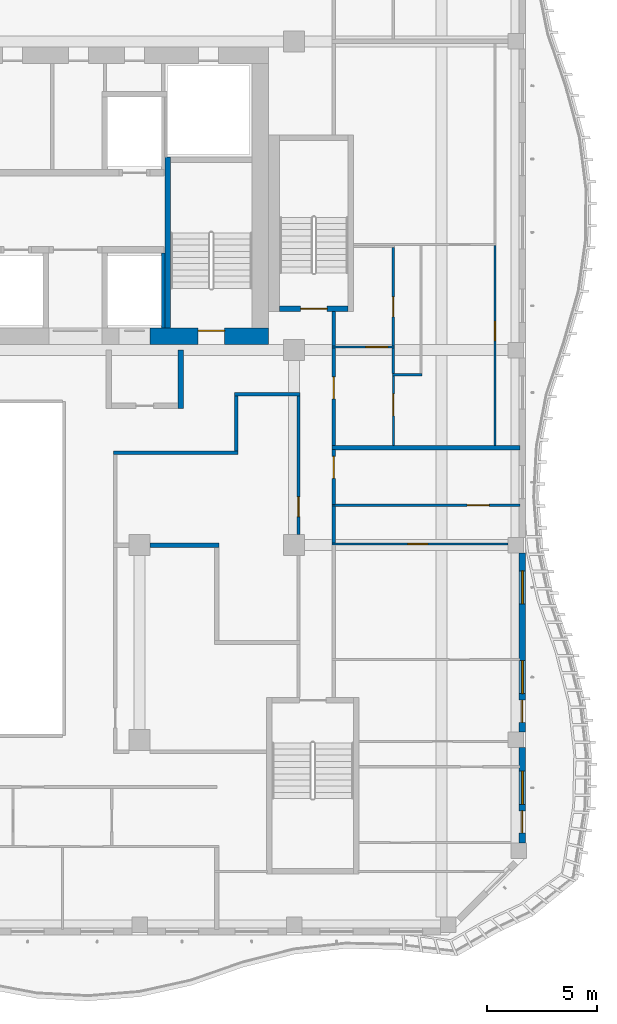
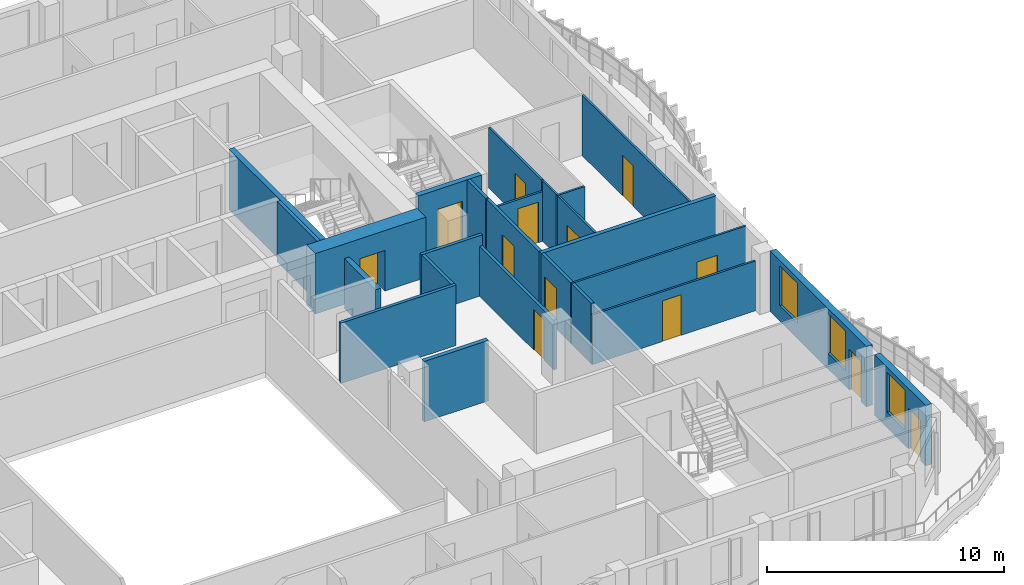
# One storey, part 6 of 19: 25 walls, 13 doors, 3 windows, 16 openings.
"""IFC4 building model written with IfcOpenShell, lengths in metres."""

from ifc_helpers import new_model, si_unit, direction, frame, frame_2d, origin, place, context, subcontext, project, spatial, rectangle, extrude, source, transform, mapped, material, layer, layer_set, type_object, element, fill, save


model = new_model("IFC4")

# Units and contexts
model_context = context("Model", 3, precision=1e-05, world=origin(), true_north=direction((0.0, 1.0)))
body_context = subcontext(model_context, "Body", "Model", "MODEL_VIEW")
ifc_project = project(units=[si_unit("LENGTHUNIT", "METRE"), si_unit("AREAUNIT", "SQUARE_METRE"), si_unit("VOLUMEUNIT", "CUBIC_METRE"), si_unit("PLANEANGLEUNIT", "RADIAN"), si_unit("MASSUNIT", "GRAM", prefix="KILO")], contexts=[model_context])

# Site, building, storey
site_placement = place(None, origin())
site = spatial("IfcSite", under=ifc_project, at=site_placement, CompositionType="ELEMENT")
building_placement = place(site_placement, origin())
building = spatial("IfcBuilding", under=site, at=building_placement, Name="Kilnfold Tower and Market Hall", CompositionType="ELEMENT")
storey_placement = place(building_placement, frame((0.0, 0.0, 252.60009765625)))
storey = spatial("IfcBuildingStorey", under=building, at=storey_placement, Name="L61", CompositionType="ELEMENT", Elevation=252.60009765625)

# Wall
ifc_material_1 = material(Name="Gypsum board on steel studs", Category="steel")
ifc_layer_1 = layer(ifc_material_1, 0.14990234375)
ifc_layer_set_1 = layer_set([ifc_layer_1], Name="Gypsum board on steel studs")
wall_type_1 = type_object("IfcWallType", Name="WALL CORRIDOR 150", PredefinedType="PARTITIONING", material=ifc_layer_set_1)
wall_1_placement = place(storey_placement, frame((20.800048828125, -0.743896484375, 0.0), z_axis=(0.0, 0.0, 1.0), x_axis=(0.0, 1.0, 0.0)))
element("IfcWall", 1, at=wall_1_placement, inside=storey, type_object=wall_type_1, Name="Partition LY37.14", PredefinedType="PARTITIONING", context=body_context, shape_type="SweptSolid", body=[
    extrude(rectangle(XDim=1.6708984375, YDim=0.14990234375, at=frame_2d((0.83544921875, 0.0))), origin(), (0.0, 0.0, 1.0), 3.119873046875),
])

# Wall, opening, door
wall_2_placement = place(storey_placement, frame((20.800048828125, 1.007080078125, 0.0), z_axis=(0.0, 0.0, 1.0), x_axis=(0.0, 1.0, 0.0)))
wall_2 = element("IfcWall", 2, at=wall_2_placement, inside=storey, type_object=wall_type_1, Name="Partition LY37.15", PredefinedType="PARTITIONING", context=body_context, shape_type="SweptSolid", body=[
    extrude(rectangle(XDim=2.48583984375, YDim=0.14990234375, at=frame_2d((1.242919921875, 0.0))), origin(), (0.0, 0.0, 1.0), 3.119873046875),
])
opening_1_placement = place(wall_2_placement, frame((1.177001953125, 0.0, 0.0)))
opening_1 = element("IfcOpeningElement", 3, at=opening_1_placement, cuts=wall_2, Name="Opening D1", PredefinedType="OPENING", context=body_context, shape_type="SweptSolid", body=[
    extrude(rectangle(XDim=1.0, YDim=2.10009765625, at=frame_2d((0.5, 1.050048828125))), frame((0.0, 0.0849609375, 0.0), z_axis=(0.0, -1.0, 0.0), x_axis=(1.0, 0.0, 0.0)), (0.0, 0.0, 1.0), 0.169921875),
])
ifc_material_2 = material(Name="Timber veneer door leaf in steel frame", Category="steel")
door_type_1 = type_object("IfcDoorType", Name="DOOR ENTRY 1000 X2100", OperationType="NOTDEFINED", PredefinedType="DOOR", material=ifc_material_2)
door_1_placement = place(opening_1_placement, origin())
door_1 = element("IfcDoor", 4, at=door_1_placement, inside=storey, type_object=door_type_1, Name="Door D1", OperationType="SINGLE_SWING_RIGHT", OverallHeight=2.10009765625, OverallWidth=1.0, PredefinedType="DOOR", context=body_context, shape_type="SweptSolid", body=[
    extrude(rectangle(XDim=1.0, YDim=2.10009765625, at=frame_2d((0.5, 1.050048828125))), frame((0.0, 0.02490234375, 0.0), z_axis=(0.0, -1.0, 0.0), x_axis=(1.0, 0.0, 0.0)), (0.0, 0.0, 1.0), 0.050048828125),
])
fill(opening_1, door_1)

wall_3_placement = place(storey_placement, frame((20.800048828125, 3.673095703125, 0.0), z_axis=(0.0, 0.0, 1.0), x_axis=(0.0, 1.0, 0.0)))
wall_3 = element("IfcWall", 5, at=wall_3_placement, inside=storey, type_object=wall_type_1, Name="Partition LY37.17", PredefinedType="PARTITIONING", context=body_context, shape_type="SweptSolid", body=[
    extrude(rectangle(XDim=4.428955078125, YDim=0.14990234375, at=frame_2d((2.21435546875, 0.0))), origin(), (0.0, 0.0, 1.0), 3.119873046875),
])
opening_2_placement = place(wall_3_placement, frame((2.117919921875, 0.0, 0.0)))
opening_2 = element("IfcOpeningElement", 6, at=opening_2_placement, cuts=wall_3, Name="Opening D1", PredefinedType="OPENING", context=body_context, shape_type="SweptSolid", body=[
    extrude(rectangle(XDim=1.0, YDim=2.10009765625, at=frame_2d((0.5, 1.050048828125))), frame((0.0, 0.0849609375, 0.0), z_axis=(0.0, -1.0, 0.0), x_axis=(1.0, 0.0, 0.0)), (0.0, 0.0, 1.0), 0.169921875),
])
door_2_placement = place(opening_2_placement, origin())
door_2 = element("IfcDoor", 7, at=door_2_placement, inside=storey, type_object=door_type_1, Name="Door D1", OperationType="SINGLE_SWING_RIGHT", OverallHeight=2.10009765625, OverallWidth=1.0, PredefinedType="DOOR", context=body_context, shape_type="SweptSolid", body=[
    extrude(rectangle(XDim=1.0, YDim=2.10009765625, at=frame_2d((0.5, 1.050048828125))), frame((0.0, 0.02490234375, 0.0), z_axis=(0.0, -1.0, 0.0), x_axis=(1.0, 0.0, 0.0)), (0.0, 0.0, 1.0), 0.050048828125),
])
fill(opening_2, door_2)

# Wall
wall_4_placement = place(storey_placement, frame((20.800048828125, 8.181884765625, 0.0), z_axis=(0.0, 0.0, 1.0), x_axis=(0.0, 1.0, 0.0)))
element("IfcWall", 8, at=wall_4_placement, inside=storey, type_object=wall_type_1, Name="Partition LY37.18", PredefinedType="PARTITIONING", context=body_context, shape_type="SweptSolid", body=[
    extrude(rectangle(XDim=1.568115234375, YDim=0.14990234375, at=frame_2d((0.7841796875, 0.0))), origin(), (0.0, 0.0, 1.0), 3.119873046875),
])

# Wall, opening, door
wall_5_placement = place(storey_placement, frame((19.199951171875, -0.35791015625, 0.0), z_axis=(0.0, 0.0, 1.0), x_axis=(0.0, 1.0, 0.0)))
wall_5 = element("IfcWall", 9, at=wall_5_placement, inside=storey, type_object=wall_type_1, Name="Partition LY37.45", PredefinedType="PARTITIONING", context=body_context, shape_type="SweptSolid", body=[
    extrude(rectangle(XDim=6.282958984375, YDim=0.14990234375, at=frame_2d((3.1416015625, 0.0))), origin(), (0.0, 0.0, 1.0), 2.56982421875),
])
opening_3_placement = place(wall_5_placement, frame((0.81005859375, 0.0, 0.0)))
opening_3 = element("IfcOpeningElement", 10, at=opening_3_placement, cuts=wall_5, Name="Opening D2", PredefinedType="OPENING", context=body_context, shape_type="SweptSolid", body=[
    extrude(rectangle(XDim=0.89990234375, YDim=2.10009765625, at=frame_2d((0.449951171875, 1.050048828125))), frame((0.0, 0.0849609375, 0.0), z_axis=(0.0, -1.0, 0.0), x_axis=(1.0, 0.0, 0.0)), (0.0, 0.0, 1.0), 0.169921875),
])
ifc_material_3 = material(Name="Timber veneer door leaf in steel frame", Category="steel")
door_type_2 = type_object("IfcDoorType", Name="DOOR ROOM 900 X2100", OperationType="NOTDEFINED", PredefinedType="DOOR", material=ifc_material_3)
door_3_placement = place(opening_3_placement, origin())
door_3 = element("IfcDoor", 11, at=door_3_placement, inside=storey, type_object=door_type_2, Name="Door D2", OperationType="SINGLE_SWING_RIGHT", OverallHeight=2.10009765625, OverallWidth=0.89990234375, PredefinedType="DOOR", context=body_context, shape_type="SweptSolid", body=[
    extrude(rectangle(XDim=0.89990234375, YDim=2.10009765625, at=frame_2d((0.449951171875, 1.050048828125))), frame((0.0, 0.02490234375, 0.0), z_axis=(0.0, -1.0, 0.0), x_axis=(1.0, 0.0, 0.0)), (0.0, 0.0, 1.0), 0.050048828125),
])
fill(opening_3, door_3)

# Walls
wall_6_placement = place(storey_placement, frame((16.304931640625, 6.0, 0.0), z_axis=(0.0, 0.0, 1.0), x_axis=(1.0, 0.0, 0.0)))
element("IfcWall", 12, at=wall_6_placement, inside=storey, type_object=wall_type_1, Name="Partition LY37.46", PredefinedType="PARTITIONING", context=body_context, shape_type="SweptSolid", body=[
    extrude(rectangle(XDim=2.969970703125, YDim=0.14990234375, at=frame_2d((1.48486328125, 0.0))), origin(), (0.0, 0.0, 1.0), 3.119873046875),
])
wall_7_placement = place(storey_placement, frame((16.3798828125, 3.425048828125, 0.0), z_axis=(0.0, 0.0, 1.0), x_axis=(0.0, 1.0, 0.0)))
element("IfcWall", 13, at=wall_7_placement, inside=storey, type_object=wall_type_1, Name="Partition LY37.47", PredefinedType="PARTITIONING", context=body_context, shape_type="SweptSolid", body=[
    extrude(rectangle(XDim=2.5, YDim=0.14990234375, at=frame_2d((1.25, 0.0))), origin(), (0.0, 0.0, 1.0), 3.119873046875),
])
wall_8_placement = place(storey_placement, frame((10.824951171875, 3.35009765625, 0.0), z_axis=(0.0, 0.0, 1.0), x_axis=(1.0, 0.0, 0.0)))
element("IfcWall", 14, at=wall_8_placement, inside=storey, type_object=wall_type_1, Name="Partition LY37.48", PredefinedType="PARTITIONING", context=body_context, shape_type="SweptSolid", body=[
    extrude(rectangle(XDim=5.630126953125, YDim=0.14990234375, at=frame_2d((2.81494140625, 0.0))), origin(), (0.0, 0.0, 1.0), 3.119873046875),
])

# Wall, opening, door
ifc_material_4 = material(Name="Gypsum board on steel studs", Category="steel")
ifc_layer_2 = layer(ifc_material_4, 0.10009765625)
ifc_layer_set_2 = layer_set([ifc_layer_2], Name="Gypsum board on steel studs")
wall_type_2 = type_object("IfcWallType", Name="WALL PARTITION 100", PredefinedType="PARTITIONING", material=ifc_layer_set_2)
wall_9_placement = place(storey_placement, frame((28.699951171875, -0.783935546875, 0.0), z_axis=(0.0, 0.0, 1.0), x_axis=(-1.0, 0.0, 0.0)))
wall_9 = element("IfcWall", 15, at=wall_9_placement, inside=storey, type_object=wall_type_2, Name="Partition LY37.76", PredefinedType="PARTITIONING", context=body_context, shape_type="SweptSolid", body=[
    extrude(rectangle(XDim=7.972900390625, YDim=0.10009765625, at=frame_2d((3.986328125, 0.0))), origin(), (0.0, 0.0, 1.0), 2.56982421875),
])
opening_4_placement = place(wall_9_placement, frame((3.637939453125, 0.0, 0.0)))
opening_4 = element("IfcOpeningElement", 16, at=opening_4_placement, cuts=wall_9, Name="Opening D2", PredefinedType="OPENING", context=body_context, shape_type="SweptSolid", body=[
    extrude(rectangle(XDim=0.89990234375, YDim=2.10009765625, at=frame_2d((0.449951171875, 1.050048828125))), frame((0.0, 0.06005859375, 0.0), z_axis=(0.0, -1.0, 0.0), x_axis=(1.0, 0.0, 0.0)), (0.0, 0.0, 1.0), 0.1201171875),
])
door_4_placement = place(opening_4_placement, origin())
door_4 = element("IfcDoor", 17, at=door_4_placement, inside=storey, type_object=door_type_2, Name="Door D2", OperationType="SINGLE_SWING_RIGHT", OverallHeight=2.10009765625, OverallWidth=0.89990234375, PredefinedType="DOOR", context=body_context, shape_type="SweptSolid", body=[
    extrude(rectangle(XDim=0.89990234375, YDim=2.10009765625, at=frame_2d((0.449951171875, 1.050048828125))), frame((0.0, 0.02490234375, 0.0), z_axis=(0.0, -1.0, 0.0), x_axis=(1.0, 0.0, 0.0)), (0.0, 0.0, 1.0), 0.050048828125),
])
fill(opening_4, door_4)

wall_10_placement = place(storey_placement, frame((29.25, 0.967041015625, 0.0), z_axis=(0.0, 0.0, 1.0), x_axis=(-1.0, 0.0, 0.0)))
wall_10 = element("IfcWall", 18, at=wall_10_placement, inside=storey, type_object=wall_type_2, Name="Partition LY37.77", PredefinedType="PARTITIONING", context=body_context, shape_type="SweptSolid", body=[
    extrude(rectangle(XDim=8.52294921875, YDim=0.10009765625, at=frame_2d((4.261474609375, 0.0))), origin(), (0.0, 0.0, 1.0), 3.119873046875),
])
opening_5_placement = place(wall_10_placement, frame((1.404052734375, 0.0, 0.0)))
opening_5 = element("IfcOpeningElement", 19, at=opening_5_placement, cuts=wall_10, Name="Opening D1", PredefinedType="OPENING", context=body_context, shape_type="SweptSolid", body=[
    extrude(rectangle(XDim=1.0, YDim=2.10009765625, at=frame_2d((0.5, 1.050048828125))), frame((0.0, 0.06005859375, 0.0), z_axis=(0.0, -1.0, 0.0), x_axis=(1.0, 0.0, 0.0)), (0.0, 0.0, 1.0), 0.1201171875),
])
door_5_placement = place(opening_5_placement, origin())
door_5 = element("IfcDoor", 20, at=door_5_placement, inside=storey, type_object=door_type_1, Name="Door D1", OperationType="SINGLE_SWING_RIGHT", OverallHeight=2.10009765625, OverallWidth=1.0, PredefinedType="DOOR", context=body_context, shape_type="SweptSolid", body=[
    extrude(rectangle(XDim=1.0, YDim=2.10009765625, at=frame_2d((0.5, 1.050048828125))), frame((0.0, 0.02490234375, 0.0), z_axis=(0.0, -1.0, 0.0), x_axis=(1.0, 0.0, 0.0)), (0.0, 0.0, 1.0), 0.050048828125),
])
fill(opening_5, door_5)

wall_11_placement = place(storey_placement, frame((23.501953125, 3.68310546875, 0.0), z_axis=(0.0, 0.0, 1.0), x_axis=(0.0, 1.0, 0.0)))
wall_11 = element("IfcWall", 21, at=wall_11_placement, inside=storey, type_object=wall_type_2, Name="Partition LY37.79", PredefinedType="PARTITIONING", context=body_context, shape_type="SweptSolid", body=[
    extrude(rectangle(XDim=3.157958984375, YDim=0.10009765625, at=frame_2d((1.5791015625, 0.0))), origin(), (0.0, 0.0, 1.0), 3.119873046875),
])
opening_6_placement = place(wall_11_placement, frame((1.337890625, 0.0, 0.0)))
opening_6 = element("IfcOpeningElement", 22, at=opening_6_placement, cuts=wall_11, Name="Opening D1", PredefinedType="OPENING", context=body_context, shape_type="SweptSolid", body=[
    extrude(rectangle(XDim=1.0, YDim=2.10009765625, at=frame_2d((0.5, 1.050048828125))), frame((0.0, 0.06005859375, 0.0), z_axis=(0.0, -1.0, 0.0), x_axis=(1.0, 0.0, 0.0)), (0.0, 0.0, 1.0), 0.1201171875),
])
door_6_placement = place(opening_6_placement, origin())
door_6 = element("IfcDoor", 23, at=door_6_placement, inside=storey, type_object=door_type_1, Name="Door D1", OperationType="SINGLE_SWING_RIGHT", OverallHeight=2.10009765625, OverallWidth=1.0, PredefinedType="DOOR", context=body_context, shape_type="SweptSolid", body=[
    extrude(rectangle(XDim=1.0, YDim=2.10009765625, at=frame_2d((0.5, 1.050048828125))), frame((0.0, 0.02490234375, 0.0), z_axis=(0.0, -1.0, 0.0), x_axis=(1.0, 0.0, 0.0)), (0.0, 0.0, 1.0), 0.050048828125),
])
fill(opening_6, door_6)

wall_12_placement = place(storey_placement, frame((28.111083984375, 3.68310546875, 0.0), z_axis=(0.0, 0.0, 1.0), x_axis=(0.0, 1.0, 0.0)))
wall_12 = element("IfcWall", 24, at=wall_12_placement, inside=storey, type_object=wall_type_2, Name="Partition LY37.80", PredefinedType="PARTITIONING", context=body_context, shape_type="SweptSolid", body=[
    extrude(rectangle(XDim=9.057861328125, YDim=0.10009765625, at=frame_2d((4.52880859375, 0.0))), origin(), (0.0, 0.0, 1.0), 3.119873046875),
])
opening_7_placement = place(wall_12_placement, frame((4.73388671875, 0.0, 0.0)))
opening_7 = element("IfcOpeningElement", 25, at=opening_7_placement, cuts=wall_12, Name="Opening D2", PredefinedType="OPENING", context=body_context, shape_type="SweptSolid", body=[
    extrude(rectangle(XDim=0.89990234375, YDim=2.10009765625, at=frame_2d((0.449951171875, 1.050048828125))), frame((0.0, 0.06005859375, 0.0), z_axis=(0.0, -1.0, 0.0), x_axis=(1.0, 0.0, 0.0)), (0.0, 0.0, 1.0), 0.1201171875),
])
door_7_placement = place(opening_7_placement, origin())
door_7 = element("IfcDoor", 26, at=door_7_placement, inside=storey, type_object=door_type_2, Name="Door D2", OperationType="SINGLE_SWING_RIGHT", OverallHeight=2.10009765625, OverallWidth=0.89990234375, PredefinedType="DOOR", context=body_context, shape_type="SweptSolid", body=[
    extrude(rectangle(XDim=0.89990234375, YDim=2.10009765625, at=frame_2d((0.449951171875, 1.050048828125))), frame((0.0, 0.02490234375, 0.0), z_axis=(0.0, -1.0, 0.0), x_axis=(1.0, 0.0, 0.0)), (0.0, 0.0, 1.0), 0.050048828125),
])
fill(opening_7, door_7)

# Wall
wall_13_placement = place(storey_placement, frame((24.801025390625, 6.89111328125, 0.0), z_axis=(0.0, 0.0, 1.0), x_axis=(-1.0, 0.0, 0.0)))
element("IfcWall", 27, at=wall_13_placement, inside=storey, type_object=wall_type_2, Name="Partition LY37.81", PredefinedType="PARTITIONING", context=body_context, shape_type="SweptSolid", body=[
    extrude(rectangle(XDim=1.34912109375, YDim=0.10009765625, at=frame_2d((0.674560546875, 0.0))), origin(), (0.0, 0.0, 1.0), 3.119873046875),
])

# Wall, opening, door
wall_14_placement = place(storey_placement, frame((23.550048828125, 8.14208984375, 0.0), z_axis=(0.0, 0.0, 1.0), x_axis=(-1.0, 0.0, 0.0)))
wall_14 = element("IfcWall", 28, at=wall_14_placement, inside=storey, type_object=wall_type_2, Name="Partition LY37.86", PredefinedType="PARTITIONING", context=body_context, shape_type="SweptSolid", body=[
    extrude(rectangle(XDim=2.822998046875, YDim=0.10009765625, at=frame_2d((1.41162109375, 0.0))), origin(), (0.0, 0.0, 1.0), 2.56982421875),
])
opening_8_placement = place(wall_14_placement, frame((0.302001953125, 0.0, 0.0)))
opening_8 = element("IfcOpeningElement", 29, at=opening_8_placement, cuts=wall_14, Name="Opening D1", PredefinedType="OPENING", context=body_context, shape_type="SweptSolid", body=[
    extrude(rectangle(XDim=1.0, YDim=2.10009765625, at=frame_2d((0.5, 1.050048828125))), frame((0.0, 0.06005859375, 0.0), z_axis=(0.0, -1.0, 0.0), x_axis=(1.0, 0.0, 0.0)), (0.0, 0.0, 1.0), 0.1201171875),
])
door_8_placement = place(opening_8_placement, origin())
door_8 = element("IfcDoor", 30, at=door_8_placement, inside=storey, type_object=door_type_1, Name="Door D1", OperationType="SINGLE_SWING_RIGHT", OverallHeight=2.10009765625, OverallWidth=1.0, PredefinedType="DOOR", context=body_context, shape_type="SweptSolid", body=[
    extrude(rectangle(XDim=1.0, YDim=2.10009765625, at=frame_2d((0.5, 1.050048828125))), frame((0.0, 0.02490234375, 0.0), z_axis=(0.0, -1.0, 0.0), x_axis=(1.0, 0.0, 0.0)), (0.0, 0.0, 1.0), 0.050048828125),
])
fill(opening_8, door_8)

# Wall
wall_15_placement = place(storey_placement, frame((23.5, 6.931884765625, 0.0), z_axis=(0.0, 0.0, 1.0), x_axis=(0.0, 1.0, 0.0)))
element("IfcWall", 31, at=wall_15_placement, inside=storey, type_object=wall_type_2, Name="Partition LY37.87", PredefinedType="PARTITIONING", context=body_context, shape_type="SweptSolid", body=[
    extrude(rectangle(XDim=1.16015625, YDim=0.10009765625, at=frame_2d((0.580078125, 0.0))), origin(), (0.0, 0.0, 1.0), 3.119873046875),
])

# Wall, opening, door
wall_16_placement = place(storey_placement, frame((23.5, 8.19189453125, 0.0), z_axis=(0.0, 0.0, 1.0), x_axis=(0.0, 1.0, 0.0)))
wall_16 = element("IfcWall", 32, at=wall_16_placement, inside=storey, type_object=wall_type_2, Name="Partition LY37.89", PredefinedType="PARTITIONING", context=body_context, shape_type="SweptSolid", body=[
    extrude(rectangle(XDim=4.4580078125, YDim=0.10009765625, at=frame_2d((2.22900390625, 0.0))), origin(), (0.0, 0.0, 1.0), 3.119873046875),
])
opening_9_placement = place(wall_16_placement, frame((1.321044921875, 0.0, 0.0)))
opening_9 = element("IfcOpeningElement", 33, at=opening_9_placement, cuts=wall_16, Name="Opening D2", PredefinedType="OPENING", context=body_context, shape_type="SweptSolid", body=[
    extrude(rectangle(XDim=0.89990234375, YDim=2.10009765625, at=frame_2d((0.449951171875, 1.050048828125))), frame((0.0, 0.06005859375, 0.0), z_axis=(0.0, -1.0, 0.0), x_axis=(1.0, 0.0, 0.0)), (0.0, 0.0, 1.0), 0.1201171875),
])
door_9_placement = place(opening_9_placement, origin())
door_9 = element("IfcDoor", 34, at=door_9_placement, inside=storey, type_object=door_type_2, Name="Door D2", OperationType="SINGLE_SWING_RIGHT", OverallHeight=2.10009765625, OverallWidth=0.89990234375, PredefinedType="DOOR", context=body_context, shape_type="SweptSolid", body=[
    extrude(rectangle(XDim=0.89990234375, YDim=2.10009765625, at=frame_2d((0.449951171875, 1.050048828125))), frame((0.0, 0.02490234375, 0.0), z_axis=(0.0, -1.0, 0.0), x_axis=(1.0, 0.0, 0.0)), (0.0, 0.0, 1.0), 0.050048828125),
])
fill(opening_9, door_9)

# Walls
ifc_material_5 = material(Name="Gypsum board on steel studs", Category="steel")
ifc_layer_3 = layer(ifc_material_5, 0.199951171875)
ifc_layer_set_3 = layer_set([ifc_layer_3], Name="Gypsum board on steel studs")
wall_type_3 = type_object("IfcWallType", Name="WALL PARTY 200", PredefinedType="PARTITIONING", material=ifc_layer_set_3)
wall_17_placement = place(storey_placement, frame((20.72705078125, 3.5830078125, 0.0), z_axis=(0.0, 0.0, 1.0), x_axis=(1.0, 0.0, 0.0)))
element("IfcWall", 35, at=wall_17_placement, inside=storey, type_object=wall_type_3, Name="Partition LY37.78", PredefinedType="PARTITIONING", context=body_context, shape_type="SweptSolid", body=[
    extrude(rectangle(XDim=8.52294921875, YDim=0.199951171875, at=frame_2d((4.261474609375, 0.0))), origin(), (0.0, 0.0, 1.0), 3.119873046875),
])
wall_18_placement = place(storey_placement, frame((12.47509765625, -0.8330078125, 0.0), z_axis=(0.0, 0.0, 1.0), x_axis=(1.0, 0.0, 0.0)))
element("IfcWall", 36, at=wall_18_placement, inside=storey, type_object=wall_type_3, Name="Partition LY37.104", PredefinedType="PARTITIONING", context=body_context, shape_type="SweptSolid", body=[
    extrude(rectangle(XDim=3.125, YDim=0.199951171875, at=frame_2d((1.5625, 0.0))), origin(), (0.0, 0.0, 1.0), 3.119873046875),
])
ifc_material_6 = material(Name="Concrete C60", Category="concrete")
ifc_layer_4 = layer(ifc_material_6, 0.25)
ifc_layer_set_4 = layer_set([ifc_layer_4], Name="Concrete C60")
wall_type_4 = type_object("IfcWallType", Name="CORE WALL 250 C60", PredefinedType="SHEAR", material=ifc_layer_set_4)
shared_shape_1 = source(origin(), body_context, "Body", "SweptSolid", [
    extrude(rectangle(XDim=7.75, YDim=0.25, at=frame_2d((3.875, 0.0))), origin(), (0.0, 0.0, 1.0), 3.119873046875),
])
wall_19_placement = place(storey_placement, frame((13.27490234375, 9.0, 0.0), z_axis=(0.0, 0.0, 1.0), x_axis=(0.0, 1.0, 0.0)))
element("IfcWall", 37, at=wall_19_placement, inside=storey, type_object=wall_type_4, Name="Stair enclosure ST2", PredefinedType="SHEAR", context=body_context, shape_type="MappedRepresentation", body=[
    mapped(shared_shape_1, transform((0.0, 0.0, 0.0))),
])

# Wall, opening, door
shared_shape_2 = source(origin(), body_context, "Body", "SweptSolid", [
    extrude(rectangle(XDim=3.099853515625, YDim=0.25, at=frame_2d((1.5498046875, 0.0))), origin(), (0.0, 0.0, 1.0), 3.119873046875),
])
wall_20_placement = place(storey_placement, frame((18.35009765625, 9.875, 0.0), z_axis=(0.0, 0.0, 1.0), x_axis=(1.0, 0.0, 0.0)))
wall_20 = element("IfcWall", 38, at=wall_20_placement, inside=storey, type_object=wall_type_4, Name="Stair enclosure ST5", PredefinedType="SHEAR", context=body_context, shape_type="MappedRepresentation", body=[
    mapped(shared_shape_2, transform((0.0, 0.0, 0.0))),
])
opening_10_placement = place(wall_20_placement, frame((0.949951171875, 0.0, 0.0)))
opening_10 = element("IfcOpeningElement", 39, at=opening_10_placement, cuts=wall_20, Name="Opening SD1", PredefinedType="OPENING", context=body_context, shape_type="SweptSolid", body=[
    extrude(rectangle(XDim=1.199951171875, YDim=2.10009765625, at=frame_2d((0.60009765625, 1.050048828125))), frame((0.0, 0.135009765625, 0.0), z_axis=(0.0, -1.0, 0.0), x_axis=(1.0, 0.0, 0.0)), (0.0, 0.0, 1.0), 0.27001953125),
])
ifc_material_7 = material(Name="Steel door set with fire-resisting leaf", Category="steel")
door_type_3 = type_object("IfcDoorType", Name="STAIR FLOOR DOOR 1200X2100", OperationType="NOTDEFINED", PredefinedType="DOOR", material=ifc_material_7)
door_10_placement = place(opening_10_placement, origin())
door_10 = element("IfcDoor", 40, at=door_10_placement, inside=storey, type_object=door_type_3, Name="Exit stair ST5 door", OperationType="DOUBLE_DOOR_SINGLE_SWING", OverallHeight=2.10009765625, OverallWidth=1.199951171875, PredefinedType="DOOR", context=body_context, shape_type="SweptSolid", body=[
    extrude(rectangle(XDim=1.199951171875, YDim=2.10009765625, at=frame_2d((0.60009765625, 1.050048828125))), frame((0.0, 0.02490234375, 0.0), z_axis=(0.0, -1.0, 0.0), x_axis=(1.0, 0.0, 0.0)), (0.0, 0.0, 1.0), 0.050048828125),
])
fill(opening_10, door_10)

ifc_material_8 = material(Name="Concrete C60", Category="concrete")
ifc_layer_5 = layer(ifc_material_8, 0.75)
ifc_layer_set_5 = layer_set([ifc_layer_5], Name="Concrete C60")
wall_type_5 = type_object("IfcWallType", Name="CORE WALL 750 C60", PredefinedType="SHEAR", material=ifc_layer_set_5)
shared_shape_3 = source(origin(), body_context, "Body", "SweptSolid", [
    extrude(rectangle(XDim=5.380126953125, YDim=0.75, at=frame_2d((2.68994140625, 0.0))), origin(), (0.0, 0.0, 1.0), 3.119873046875),
])
wall_21_placement = place(storey_placement, frame((12.469970703125, 8.625, 0.0), z_axis=(0.0, 0.0, 1.0), x_axis=(1.0, 0.0, 0.0)))
wall_21 = element("IfcWall", 41, at=wall_21_placement, inside=storey, type_object=wall_type_5, Name="Core outer wall south", PredefinedType="SHEAR", context=body_context, shape_type="MappedRepresentation", body=[
    mapped(shared_shape_3, transform((0.0, 0.0, 0.0))),
])
opening_11_placement = place(wall_21_placement, frame((2.179931640625, 0.0, 0.0)))
opening_11 = element("IfcOpeningElement", 42, at=opening_11_placement, cuts=wall_21, Name="Opening SD1", PredefinedType="OPENING", context=body_context, shape_type="SweptSolid", body=[
    extrude(rectangle(XDim=1.199951171875, YDim=2.10009765625, at=frame_2d((0.60009765625, 1.050048828125))), frame((0.0, 0.385009765625, 0.0), z_axis=(0.0, -1.0, 0.0), x_axis=(1.0, 0.0, 0.0)), (0.0, 0.0, 1.0), 0.77001953125),
])
door_11_placement = place(opening_11_placement, origin())
door_11 = element("IfcDoor", 43, at=door_11_placement, inside=storey, type_object=door_type_3, Name="Exit stair ST2 door", OperationType="DOUBLE_DOOR_SINGLE_SWING", OverallHeight=2.10009765625, OverallWidth=1.199951171875, PredefinedType="DOOR", context=body_context, shape_type="SweptSolid", body=[
    extrude(rectangle(XDim=1.199951171875, YDim=2.10009765625, at=frame_2d((0.60009765625, 1.050048828125))), frame((0.0, 0.27978515625, 0.0), z_axis=(0.0, -1.0, 0.0), x_axis=(1.0, 0.0, 0.0)), (0.0, 0.0, 1.0), 0.050048828125),
])
fill(opening_11, door_11)

# Wall, openings, door, window
ifc_material_9 = material(Name="Precast concrete C50/60", Category="concrete")
ifc_layer_6 = layer(ifc_material_9, 0.300048828125)
ifc_layer_set_6 = layer_set([ifc_layer_6], Name="Precast concrete C50/60")
wall_type_6 = type_object("IfcWallType", Name="PRECAST WALL 300", PredefinedType="SOLIDWALL", material=ifc_layer_set_6)
shared_shape_4 = source(origin(), body_context, "Body", "SweptSolid", [
    extrude(rectangle(XDim=4.315185546875, YDim=0.300048828125, at=frame_2d((2.15771484375, 0.0))), origin(), (0.0, 0.0, 1.0), 3.119873046875),
])
wall_22_placement = place(storey_placement, frame((29.35009765625, -14.331787109375, 0.0), z_axis=(0.0, 0.0, 1.0), x_axis=(0.0, 1.0, 0.0)))
wall_22 = element("IfcWall", 44, at=wall_22_placement, inside=storey, type_object=wall_type_6, Name="External wall L61 E", PredefinedType="SOLIDWALL", context=body_context, shape_type="MappedRepresentation", body=[
    mapped(shared_shape_4, transform((0.0, 0.0, 0.0))),
])
opening_12_placement = place(wall_22_placement, frame((1.75, 0.0, 0.800048828125)))
opening_12 = element("IfcOpeningElement", 45, at=opening_12_placement, cuts=wall_22, Name="Opening W5", PredefinedType="OPENING", context=body_context, shape_type="SweptSolid", body=[
    extrude(rectangle(XDim=1.5, YDim=2.050048828125, at=frame_2d((0.75, 1.02490234375))), frame((0.0, 0.16015625, 0.0), z_axis=(0.0, -1.0, 0.0), x_axis=(1.0, 0.0, 0.0)), (0.0, 0.0, 1.0), 0.320068359375),
])
opening_13_placement = place(wall_22_placement, frame((0.449951171875, 0.0, 0.0)))
opening_13 = element("IfcOpeningElement", 46, at=opening_13_placement, cuts=wall_22, Name="Opening BD1", PredefinedType="OPENING", context=body_context, shape_type="SweptSolid", body=[
    extrude(rectangle(XDim=1.0, YDim=2.10009765625, at=frame_2d((0.5, 1.050048828125))), frame((0.0, 0.16015625, 0.0), z_axis=(0.0, -1.0, 0.0), x_axis=(1.0, 0.0, 0.0)), (0.0, 0.0, 1.0), 0.320068359375),
])
ifc_material_10 = material(Name="Aluminium frame and double glazing", Category="aluminium")
door_type_4 = type_object("IfcDoorType", Name="BALCONY DOOR 1000X2100", OperationType="NOTDEFINED", PredefinedType="DOOR", material=ifc_material_10)
door_12_placement = place(opening_13_placement, origin())
door_12 = element("IfcDoor", 47, at=door_12_placement, inside=storey, type_object=door_type_4, Name="Balcony door BD1 L61 E-1", OperationType="SINGLE_SWING_LEFT", OverallHeight=2.10009765625, OverallWidth=1.0, PredefinedType="DOOR", context=body_context, shape_type="SweptSolid", body=[
    extrude(rectangle(XDim=1.0, YDim=2.10009765625, at=frame_2d((0.5, 1.050048828125))), frame((0.0, 0.02490234375, 0.0), z_axis=(0.0, -1.0, 0.0), x_axis=(1.0, 0.0, 0.0)), (0.0, 0.0, 1.0), 0.050048828125),
])
fill(opening_13, door_12)
ifc_material_11 = material(Name="Aluminium frame and double glazing", Category="aluminium")
window_type = type_object("IfcWindowType", Name="WINDOW W5 1500X2050", PartitioningType="SINGLE_PANEL", PredefinedType="WINDOW", material=ifc_material_11)
window_1_placement = place(opening_12_placement, origin())
window_1 = element("IfcWindow", 48, at=window_1_placement, inside=storey, type_object=window_type, Name="Window W5 L61 E-1", OverallHeight=2.050048828125, OverallWidth=1.5, PartitioningType="SINGLE_PANEL", PredefinedType="WINDOW", context=body_context, shape_type="SweptSolid", body=[
    extrude(rectangle(XDim=1.5, YDim=2.050048828125, at=frame_2d((0.75, 1.02490234375))), frame((0.0, 0.030029296875, 0.0), z_axis=(0.0, -1.0, 0.0), x_axis=(1.0, 0.0, 0.0)), (0.0, 0.0, 1.0), 0.06005859375),
])
fill(opening_12, window_1)

# Wall, openings, door, windows
shared_shape_5 = source(origin(), body_context, "Body", "SweptSolid", [
    extrude(rectangle(XDim=8.13330078125, YDim=0.300048828125, at=frame_2d((4.066650390625, 0.0))), origin(), (0.0, 0.0, 1.0), 3.119873046875),
])
wall_23_placement = place(storey_placement, frame((29.35009765625, -9.316650390625, 0.0), z_axis=(0.0, 0.0, 1.0), x_axis=(0.0, 1.0, 0.0)))
wall_23 = element("IfcWall", 49, at=wall_23_placement, inside=storey, type_object=wall_type_6, Name="External wall L61 E", PredefinedType="SOLIDWALL", context=body_context, shape_type="MappedRepresentation", body=[
    mapped(shared_shape_5, transform((0.0, 0.0, 0.0))),
])
opening_14_placement = place(wall_23_placement, frame((1.75, 0.0, 0.800048828125)))
opening_14 = element("IfcOpeningElement", 50, at=opening_14_placement, cuts=wall_23, Name="Opening W5", PredefinedType="OPENING", context=body_context, shape_type="SweptSolid", body=[
    extrude(rectangle(XDim=1.5, YDim=2.050048828125, at=frame_2d((0.75, 1.02490234375))), frame((0.0, 0.16015625, 0.0), z_axis=(0.0, -1.0, 0.0), x_axis=(1.0, 0.0, 0.0)), (0.0, 0.0, 1.0), 0.320068359375),
])
opening_15_placement = place(wall_23_placement, frame((0.449951171875, 0.0, 0.0)))
opening_15 = element("IfcOpeningElement", 51, at=opening_15_placement, cuts=wall_23, Name="Opening BD1", PredefinedType="OPENING", context=body_context, shape_type="SweptSolid", body=[
    extrude(rectangle(XDim=1.0, YDim=2.10009765625, at=frame_2d((0.5, 1.050048828125))), frame((0.0, 0.16015625, 0.0), z_axis=(0.0, -1.0, 0.0), x_axis=(1.0, 0.0, 0.0)), (0.0, 0.0, 1.0), 0.320068359375),
])
opening_16_placement = place(wall_23_placement, frame((5.816650390625, 0.0, 0.800048828125)))
opening_16 = element("IfcOpeningElement", 52, at=opening_16_placement, cuts=wall_23, Name="Opening W5", PredefinedType="OPENING", context=body_context, shape_type="SweptSolid", body=[
    extrude(rectangle(XDim=1.5, YDim=2.050048828125, at=frame_2d((0.75, 1.02490234375))), frame((0.0, 0.16015625, 0.0), z_axis=(0.0, -1.0, 0.0), x_axis=(1.0, 0.0, 0.0)), (0.0, 0.0, 1.0), 0.320068359375),
])
door_13_placement = place(opening_15_placement, origin())
door_13 = element("IfcDoor", 53, at=door_13_placement, inside=storey, type_object=door_type_4, Name="Balcony door BD1 L61 E-1", OperationType="SINGLE_SWING_LEFT", OverallHeight=2.10009765625, OverallWidth=1.0, PredefinedType="DOOR", context=body_context, shape_type="SweptSolid", body=[
    extrude(rectangle(XDim=1.0, YDim=2.10009765625, at=frame_2d((0.5, 1.050048828125))), frame((0.0, 0.02490234375, 0.0), z_axis=(0.0, -1.0, 0.0), x_axis=(1.0, 0.0, 0.0)), (0.0, 0.0, 1.0), 0.050048828125),
])
fill(opening_15, door_13)
window_2_placement = place(opening_14_placement, origin())
window_2 = element("IfcWindow", 54, at=window_2_placement, inside=storey, type_object=window_type, Name="Window W5 L61 E-1", OverallHeight=2.050048828125, OverallWidth=1.5, PartitioningType="SINGLE_PANEL", PredefinedType="WINDOW", context=body_context, shape_type="SweptSolid", body=[
    extrude(rectangle(XDim=1.5, YDim=2.050048828125, at=frame_2d((0.75, 1.02490234375))), frame((0.0, 0.030029296875, 0.0), z_axis=(0.0, -1.0, 0.0), x_axis=(1.0, 0.0, 0.0)), (0.0, 0.0, 1.0), 0.06005859375),
])
fill(opening_14, window_2)
window_3_placement = place(opening_16_placement, origin())
window_3 = element("IfcWindow", 55, at=window_3_placement, inside=storey, type_object=window_type, Name="Window W5 L61 E-2", OverallHeight=2.050048828125, OverallWidth=1.5, PartitioningType="SINGLE_PANEL", PredefinedType="WINDOW", context=body_context, shape_type="SweptSolid", body=[
    extrude(rectangle(XDim=1.5, YDim=2.050048828125, at=frame_2d((0.75, 1.02490234375))), frame((0.0, 0.030029296875, 0.0), z_axis=(0.0, -1.0, 0.0), x_axis=(1.0, 0.0, 0.0)), (0.0, 0.0, 1.0), 0.06005859375),
])
fill(opening_16, window_3)

# Walls
ifc_material_12 = material(Name="Gypsum shaft wall system")
ifc_layer_7 = layer(ifc_material_12, 0.1650390625)
ifc_layer_set_7 = layer_set([ifc_layer_7], Name="Gypsum shaft wall system")
wall_type_7 = type_object("IfcWallType", Name="SHAFT WALL 165", PredefinedType="PARTITIONING", material=ifc_layer_set_7)
shared_shape_6 = source(origin(), body_context, "Body", "SweptSolid", [
    extrude(rectangle(XDim=3.39990234375, YDim=0.1650390625, at=frame_2d((1.699951171875, 0.0))), origin(), (0.0, 0.0, 1.0), 3.119873046875),
])
wall_24_placement = place(storey_placement, frame((13.0673828125, 9.0, 0.0), z_axis=(0.0, 0.0, 1.0), x_axis=(0.0, 1.0, 0.0)))
element("IfcWall", 56, at=wall_24_placement, inside=storey, type_object=wall_type_7, Name="Lift shaft wall", PredefinedType="PARTITIONING", context=body_context, shape_type="MappedRepresentation", body=[
    mapped(shared_shape_6, transform((0.0, 0.0, 0.0))),
])
ifc_material_13 = material(Name="Gypsum shaft wall system")
ifc_layer_8 = layer(ifc_material_13, 0.25)
ifc_layer_set_8 = layer_set([ifc_layer_8], Name="Gypsum shaft wall system")
wall_type_8 = type_object("IfcWallType", Name="LOBBY WALL 250", PredefinedType="PARTITIONING", material=ifc_layer_set_8)
shared_shape_7 = source(origin(), body_context, "Body", "SweptSolid", [
    extrude(rectangle(XDim=2.64990234375, YDim=0.25, at=frame_2d((1.324951171875, 0.0))), origin(), (0.0, 0.0, 1.0), 2.56982421875),
])
wall_25_placement = place(storey_placement, frame((13.85498046875, 5.35009765625, 0.0), z_axis=(0.0, 0.0, 1.0), x_axis=(0.0, 1.0, 0.0)))
element("IfcWall", 57, at=wall_25_placement, inside=storey, type_object=wall_type_8, Name="Firefighting lobby wall", PredefinedType="PARTITIONING", context=body_context, shape_type="MappedRepresentation", body=[
    mapped(shared_shape_7, transform((0.0, 0.0, 0.0))),
])

save(model, "model.ifc")
